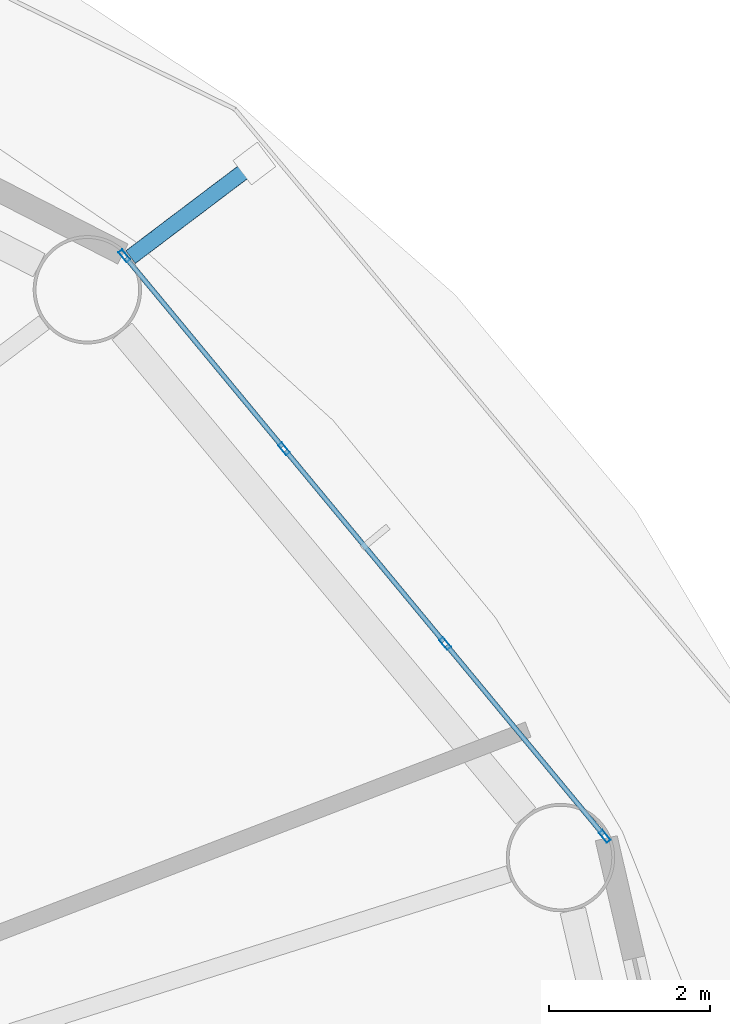
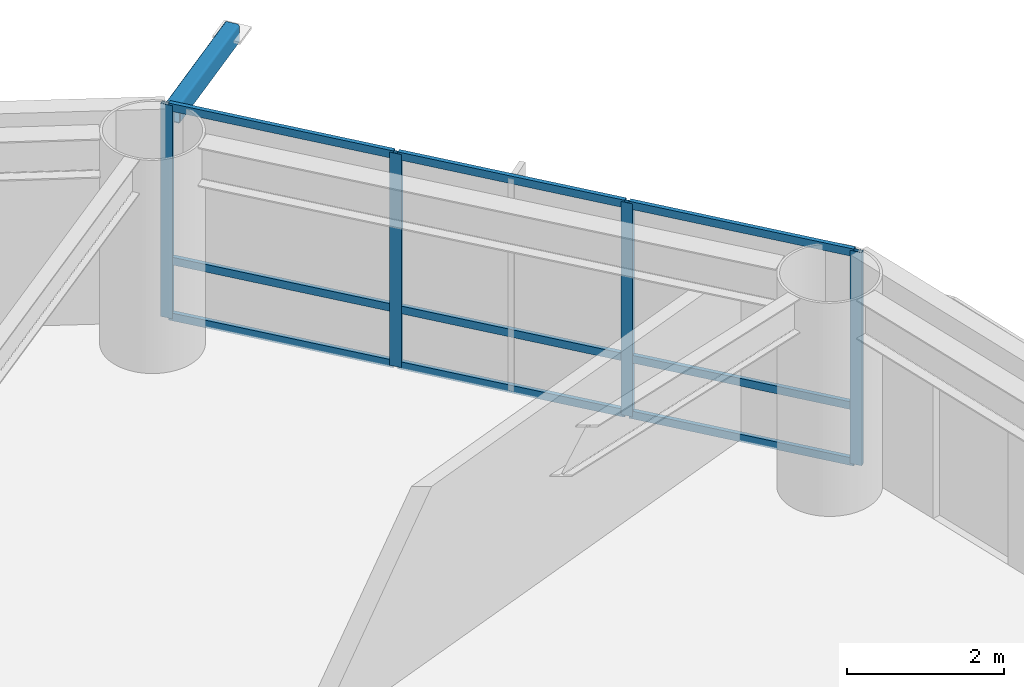
# One storey, part 12 of 24: 14 members, 1 element without a shape of its own.
"""IFC4 building model written with IfcOpenShell, lengths in metres."""

from ifc_helpers import new_model, si_unit, direction, frame, origin, origin_2d, place, context, subcontext, project, spatial, hollow_rectangle, extrude, material, layer, layer_set, material_profile, profile_set, type_object, element, aggregate, save


model = new_model("IFC4")

# Units and contexts
model_context = context("Model", 3, precision=1e-05, world=origin(), true_north=direction((0.0, 1.0)))
body_context = subcontext(model_context, "Body", "Model", "MODEL_VIEW")
ifc_project = project(units=[si_unit("LENGTHUNIT", "METRE"), si_unit("AREAUNIT", "SQUARE_METRE"), si_unit("VOLUMEUNIT", "CUBIC_METRE"), si_unit("PLANEANGLEUNIT", "RADIAN"), si_unit("MASSUNIT", "GRAM", prefix="KILO")], contexts=[model_context])

# Site, building, storey
site_placement = place(None, origin())
site = spatial("IfcSite", under=ifc_project, at=site_placement, CompositionType="ELEMENT")
building_placement = place(site_placement, origin())
building = spatial("IfcBuilding", under=site, at=building_placement, Name="Sarneth Arch Tower", CompositionType="ELEMENT")
storey_placement = place(building_placement, frame((0.0, 0.0, 130.800048828125)))
storey = spatial("IfcBuildingStorey", under=building, at=storey_placement, Name="L33", CompositionType="ELEMENT", Elevation=130.800048828125)

# Curtain wall, members
ifc_material_1 = material(Name="Anodised aluminium Type AA25 and solar-control low-e laminated IGU", Category="aluminium")
ifc_layer = layer(ifc_material_1, 0.159912109375)
ifc_layer_set = layer_set([ifc_layer], Name="Anodised aluminium Type AA25 and solar-control low-e laminated IGU")
curtain_wall_type = type_object("IfcCurtainWallType", Name="CW-HOTEL-MID", PredefinedType="NOTDEFINED", material=ifc_layer_set)
curtain_wall_placement = place(storey_placement, origin())
curtain_wall = element("IfcCurtainWall", 1, at=curtain_wall_placement, inside=storey, type_object=curtain_wall_type, Name="L33 Unitised curtain wall facet 02", PredefinedType="NOTDEFINED")
ifc_material_2 = material(Name="Anodised Aluminium 6063-T6", Category="aluminium")
ifc_material_profile_1 = material_profile(ifc_material_2, hollow_rectangle(XDim=0.06005859375, YDim=0.159912109375, WallThickness=0.00390625, at=origin_2d()), Name="AL-MULL-160x60x4")
ifc_profile_set_1 = profile_set([ifc_material_profile_1], Name="Anodised Aluminium 6063-T6")
member_type_1 = type_object("IfcMemberType", Name="CW-MULLION", PredefinedType="MULLION", material=ifc_profile_set_1)
member_1_placement = place(storey_placement, frame((74.84228515625, 50.606689453125, 0.0), z_axis=(0.0, 0.0, 1.0), x_axis=(-0.770437787363, -0.637515188684, 0.0)))
member_1 = element("IfcMember", 2, at=member_1_placement, type_object=member_type_1, Name="CW-SYS-4 mullion 1", PredefinedType="MULLION", context=body_context, shape_type="SweptSolid", body=[
    extrude(hollow_rectangle(XDim=0.06005859375, YDim=0.159912109375, WallThickness=0.00390625, at=origin_2d()), origin(), (0.0, 0.0, 1.0), 3.320068359375),
])
member_2_placement = place(storey_placement, frame((72.854248046875, 53.00927734375, 0.0), z_axis=(0.0, 0.0, 1.0), x_axis=(-0.770437787363, -0.637515188684, 0.0)))
member_2 = element("IfcMember", 3, at=member_2_placement, type_object=member_type_1, Name="CW-SYS-4 mullion 2", PredefinedType="MULLION", context=body_context, shape_type="SweptSolid", body=[
    extrude(hollow_rectangle(XDim=0.06005859375, YDim=0.159912109375, WallThickness=0.00390625, at=origin_2d()), origin(), (0.0, 0.0, 1.0), 3.320068359375),
])
member_3_placement = place(storey_placement, frame((70.84716796875, 55.434814453125, 0.0), z_axis=(0.0, 0.0, 1.0), x_axis=(-0.770437787363, -0.637515188684, 0.0)))
member_3 = element("IfcMember", 4, at=member_3_placement, type_object=member_type_1, Name="CW-SYS-4 mullion 3", PredefinedType="MULLION", context=body_context, shape_type="SweptSolid", body=[
    extrude(hollow_rectangle(XDim=0.06005859375, YDim=0.159912109375, WallThickness=0.00390625, at=origin_2d()), origin(), (0.0, 0.0, 1.0), 3.320068359375),
])
member_4_placement = place(storey_placement, frame((68.859130859375, 57.83740234375, 0.0), z_axis=(0.0, 0.0, 1.0), x_axis=(-0.770437787363, -0.637515188684, 0.0)))
member_4 = element("IfcMember", 5, at=member_4_placement, type_object=member_type_1, Name="CW-SYS-4 mullion 4", PredefinedType="MULLION", context=body_context, shape_type="SweptSolid", body=[
    extrude(hollow_rectangle(XDim=0.06005859375, YDim=0.159912109375, WallThickness=0.00390625, at=origin_2d()), origin(), (0.0, 0.0, 1.0), 3.320068359375),
])
ifc_material_3 = material(Name="Anodised Aluminium 6063-T6", Category="aluminium")
ifc_material_profile_2 = material_profile(ifc_material_3, hollow_rectangle(XDim=0.06005859375, YDim=0.1201171875, WallThickness=0.00390625, at=origin_2d()), Name="AL-TRAN-120x60x4")
ifc_profile_set_2 = profile_set([ifc_material_profile_2], Name="Anodised Aluminium 6063-T6")
member_type_2 = type_object("IfcMemberType", Name="CW-TRANSOM", PredefinedType="USERDEFINED", material=ifc_profile_set_2)
member_5_placement = place(storey_placement, frame((74.8232421875, 50.6298828125, 0.030029296875), z_axis=(-0.637566080343, 0.770395673142, 0.0), x_axis=(-0.770395673142, -0.637566080343, 0.0)))
member_5 = element("IfcMember", 6, at=member_5_placement, type_object=member_type_2, Name="CW-SYS-4 transom 1.1", ObjectType="TRANSOM", PredefinedType="USERDEFINED", context=body_context, shape_type="SweptSolid", body=[
    extrude(hollow_rectangle(XDim=0.06005859375, YDim=0.1201171875, WallThickness=0.00390625, at=origin_2d()), origin(), (0.0, 0.0, 1.0), 3.058349609375),
])
member_6_placement = place(storey_placement, frame((74.8232421875, 50.6298828125, 0.89990234375), z_axis=(-0.637566080343, 0.770395673142, 0.0), x_axis=(-0.770395673142, -0.637566080343, 0.0)))
member_6 = element("IfcMember", 7, at=member_6_placement, type_object=member_type_2, Name="CW-SYS-4 transom 1.2", ObjectType="TRANSOM", PredefinedType="USERDEFINED", context=body_context, shape_type="SweptSolid", body=[
    extrude(hollow_rectangle(XDim=0.06005859375, YDim=0.1201171875, WallThickness=0.00390625, at=origin_2d()), origin(), (0.0, 0.0, 1.0), 3.058349609375),
])
member_7_placement = place(storey_placement, frame((74.8232421875, 50.6298828125, 3.2900390625), z_axis=(-0.637566080343, 0.770395673142, 0.0), x_axis=(-0.770395673142, -0.637566080343, 0.0)))
member_7 = element("IfcMember", 8, at=member_7_placement, type_object=member_type_2, Name="CW-SYS-4 transom 1.3", ObjectType="TRANSOM", PredefinedType="USERDEFINED", context=body_context, shape_type="SweptSolid", body=[
    extrude(hollow_rectangle(XDim=0.06005859375, YDim=0.1201171875, WallThickness=0.00390625, at=origin_2d()), origin(), (0.0, 0.0, 1.0), 3.058349609375),
])
member_8_placement = place(storey_placement, frame((72.835205078125, 53.0322265625, 0.030029296875), z_axis=(-0.637536975021, 0.770419759275, 0.0), x_axis=(-0.770419759275, -0.637536975021, 0.0)))
member_8 = element("IfcMember", 9, at=member_8_placement, type_object=member_type_2, Name="CW-SYS-4 transom 2.1", ObjectType="TRANSOM", PredefinedType="USERDEFINED", context=body_context, shape_type="SweptSolid", body=[
    extrude(hollow_rectangle(XDim=0.06005859375, YDim=0.1201171875, WallThickness=0.00390625, at=origin_2d()), origin(), (0.0, 0.0, 1.0), 3.08837890625),
])
member_9_placement = place(storey_placement, frame((72.835205078125, 53.0322265625, 0.89990234375), z_axis=(-0.637536975021, 0.770419759275, 0.0), x_axis=(-0.770419759275, -0.637536975021, 0.0)))
member_9 = element("IfcMember", 10, at=member_9_placement, type_object=member_type_2, Name="CW-SYS-4 transom 2.2", ObjectType="TRANSOM", PredefinedType="USERDEFINED", context=body_context, shape_type="SweptSolid", body=[
    extrude(hollow_rectangle(XDim=0.06005859375, YDim=0.1201171875, WallThickness=0.00390625, at=origin_2d()), origin(), (0.0, 0.0, 1.0), 3.08837890625),
])
member_10_placement = place(storey_placement, frame((72.835205078125, 53.0322265625, 3.2900390625), z_axis=(-0.637536975021, 0.770419759275, 0.0), x_axis=(-0.770419759275, -0.637536975021, 0.0)))
member_10 = element("IfcMember", 11, at=member_10_placement, type_object=member_type_2, Name="CW-SYS-4 transom 2.3", ObjectType="TRANSOM", PredefinedType="USERDEFINED", context=body_context, shape_type="SweptSolid", body=[
    extrude(hollow_rectangle(XDim=0.06005859375, YDim=0.1201171875, WallThickness=0.00390625, at=origin_2d()), origin(), (0.0, 0.0, 1.0), 3.08837890625),
])
member_11_placement = place(storey_placement, frame((70.828125, 55.4580078125, 0.030029296875), z_axis=(-0.637566080343, 0.770395673142, 0.0), x_axis=(-0.770395673142, -0.637566080343, 0.0)))
member_11 = element("IfcMember", 12, at=member_11_placement, type_object=member_type_2, Name="CW-SYS-4 transom 3.1", ObjectType="TRANSOM", PredefinedType="USERDEFINED", context=body_context, shape_type="SweptSolid", body=[
    extrude(hollow_rectangle(XDim=0.06005859375, YDim=0.1201171875, WallThickness=0.00390625, at=origin_2d()), origin(), (0.0, 0.0, 1.0), 3.058349609375),
])
member_12_placement = place(storey_placement, frame((70.828125, 55.4580078125, 0.89990234375), z_axis=(-0.637566080343, 0.770395673142, 0.0), x_axis=(-0.770395673142, -0.637566080343, 0.0)))
member_12 = element("IfcMember", 13, at=member_12_placement, type_object=member_type_2, Name="CW-SYS-4 transom 3.2", ObjectType="TRANSOM", PredefinedType="USERDEFINED", context=body_context, shape_type="SweptSolid", body=[
    extrude(hollow_rectangle(XDim=0.06005859375, YDim=0.1201171875, WallThickness=0.00390625, at=origin_2d()), origin(), (0.0, 0.0, 1.0), 3.058349609375),
])
member_13_placement = place(storey_placement, frame((70.828125, 55.4580078125, 3.2900390625), z_axis=(-0.637566080343, 0.770395673142, 0.0), x_axis=(-0.770395673142, -0.637566080343, 0.0)))
member_13 = element("IfcMember", 14, at=member_13_placement, type_object=member_type_2, Name="CW-SYS-4 transom 3.3", ObjectType="TRANSOM", PredefinedType="USERDEFINED", context=body_context, shape_type="SweptSolid", body=[
    extrude(hollow_rectangle(XDim=0.06005859375, YDim=0.1201171875, WallThickness=0.00390625, at=origin_2d()), origin(), (0.0, 0.0, 1.0), 3.058349609375),
])
aggregate(curtain_wall, [member_1, member_2, member_3, member_4, member_5, member_6, member_7, member_8, member_9, member_10, member_11, member_12, member_13])

# Member
ifc_material_4 = material(Name="Steel S355", Category="steel")
ifc_material_profile_3 = material_profile(ifc_material_4, hollow_rectangle(XDim=0.199951171875, YDim=0.300048828125, WallThickness=0.012451171875, InnerFilletRadius=0.018798828125, OuterFilletRadius=0.03125, at=origin_2d()), Name="RHS300x200x12.5")
ifc_profile_set_3 = profile_set([ifc_material_profile_3], Name="Steel S355")
member_type_3 = type_object("IfcMemberType", Name="MEM-CANT-STRUT", PredefinedType="STRUT", material=ifc_profile_set_3)
member_14_placement = place(storey_placement, frame((68.936279296875, 57.822021484375, 3.159912109375), z_axis=(0.797797124483, 0.602925988963, 0.0), x_axis=(-0.602925988963, 0.797797124483, 0.0)))
element("IfcMember", 15, at=member_14_placement, inside=storey, type_object=member_type_3, Name="L33 Balcony cantilever bracket 03", PredefinedType="STRUT", context=body_context, shape_type="SweptSolid", body=[
    extrude(hollow_rectangle(XDim=0.199951171875, YDim=0.300048828125, WallThickness=0.012451171875, InnerFilletRadius=0.018798828125, OuterFilletRadius=0.03125, at=origin_2d()), origin(), (0.0, 0.0, 1.0), 1.93310546875),
])

save(model, "model.ifc")
